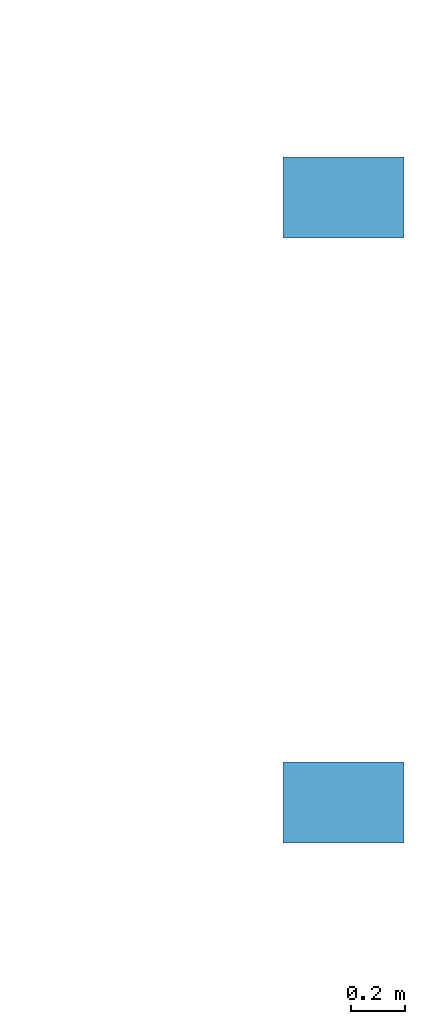
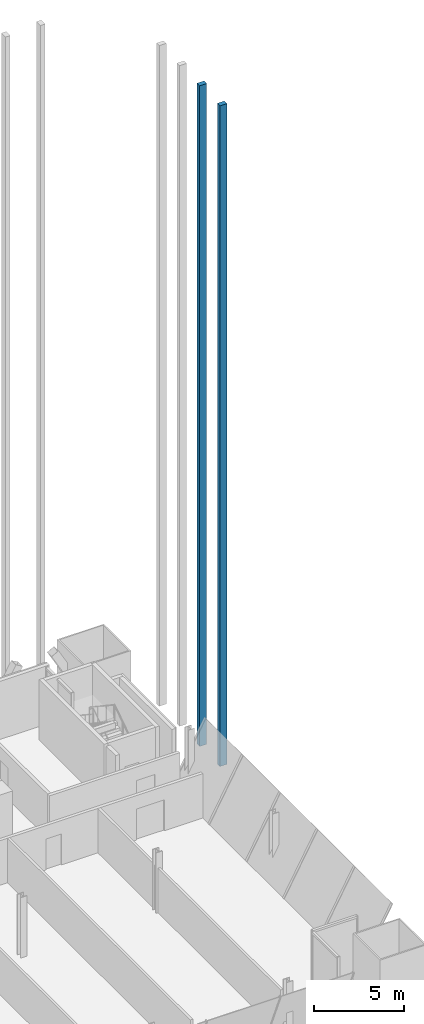
# One storey, part 14 of 22: 2 members, 1 element without a shape of its own.
"""IFC4 building model written with IfcOpenShell, lengths in metres."""

from ifc_helpers import new_model, si_unit, direction, frame, origin, origin_2d, place, context, subcontext, project, spatial, rectangle, extrude, material, material_profile, profile_set, type_object, element, aggregate, save


model = new_model("IFC4")

# Units and contexts
model_context = context("Model", 3, precision=1e-05, world=origin(), true_north=direction((0.0, 1.0)))
body_context = subcontext(model_context, "Body", "Model", "MODEL_VIEW")
ifc_project = project(units=[si_unit("LENGTHUNIT", "METRE"), si_unit("AREAUNIT", "SQUARE_METRE"), si_unit("VOLUMEUNIT", "CUBIC_METRE"), si_unit("PLANEANGLEUNIT", "RADIAN"), si_unit("MASSUNIT", "GRAM", prefix="KILO")], contexts=[model_context])

# Site, building, storey
site_placement = place(None, origin())
site = spatial("IfcSite", under=ifc_project, at=site_placement, CompositionType="ELEMENT")
building_placement = place(site_placement, origin())
building = spatial("IfcBuilding", under=site, at=building_placement, Name="Bicima Exchange Tower", CompositionType="ELEMENT")
storey_placement = place(building_placement, frame((0.0, 0.0, 89.89990234375)))
storey = spatial("IfcBuildingStorey", under=building, at=storey_placement, Name="L18", CompositionType="ELEMENT", Elevation=89.89990234375)

# Curtain wall, members
ifc_material = material(Name="Anodised bronze aluminium", Category="aluminium")
curtain_wall_type = type_object("IfcCurtainWallType", Name="Rear blade screen", PredefinedType="NOTDEFINED", material=ifc_material)
curtain_wall_placement = place(storey_placement, origin())
curtain_wall = element("IfcCurtainWall", 1, at=curtain_wall_placement, inside=storey, type_object=curtain_wall_type, Name="End blade screen L18-L28", PredefinedType="NOTDEFINED")
ifc_material_profile = material_profile(ifc_material, rectangle(XDim=0.449951171875, YDim=0.300048828125, at=origin_2d()))
ifc_profile_set = profile_set([ifc_material_profile], Name="Anodised bronze aluminium")
member_type = type_object("IfcMemberType", Name="Rear blade fin 450 x 300", PredefinedType="USERDEFINED", material=ifc_profile_set)
member_1_placement = place(storey_placement, frame((36.324951171875, -11.5, 0.0), z_axis=(0.0, 0.0, 1.0), x_axis=(1.0, 0.0, 0.0)))
member_1 = element("IfcMember", 2, at=member_1_placement, type_object=member_type, Name="End blade fin L18-L28 1", ObjectType="FIN", PredefinedType="USERDEFINED", context=body_context, shape_type="SweptSolid", body=[
    extrude(rectangle(XDim=0.449951171875, YDim=0.300048828125, at=origin_2d()), origin(), (0.0, 0.0, 1.0), 44.900146484375),
])
member_2_placement = place(storey_placement, frame((36.324951171875, -9.25, 0.0), z_axis=(0.0, 0.0, 1.0), x_axis=(1.0, 0.0, 0.0)))
member_2 = element("IfcMember", 3, at=member_2_placement, type_object=member_type, Name="End blade fin L18-L28 2", ObjectType="FIN", PredefinedType="USERDEFINED", context=body_context, shape_type="SweptSolid", body=[
    extrude(rectangle(XDim=0.449951171875, YDim=0.300048828125, at=origin_2d()), origin(), (0.0, 0.0, 1.0), 44.900146484375),
])
aggregate(curtain_wall, [member_1, member_2])

save(model, "model.ifc")
